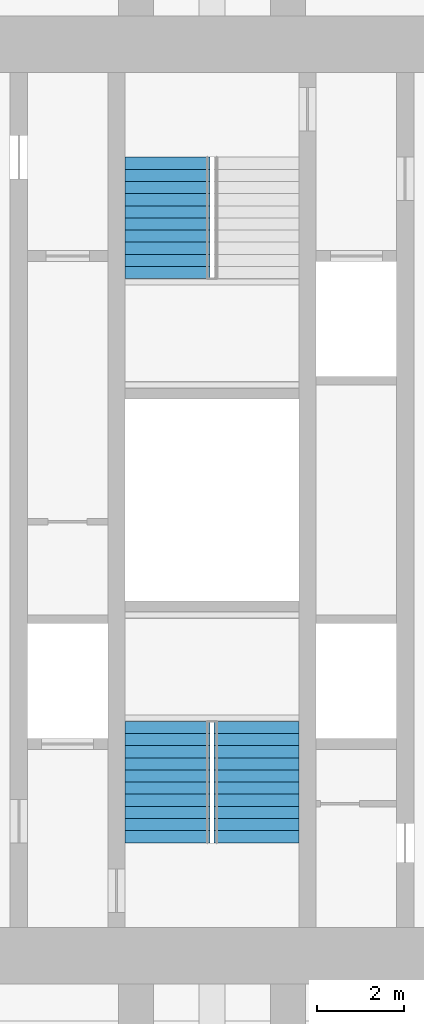
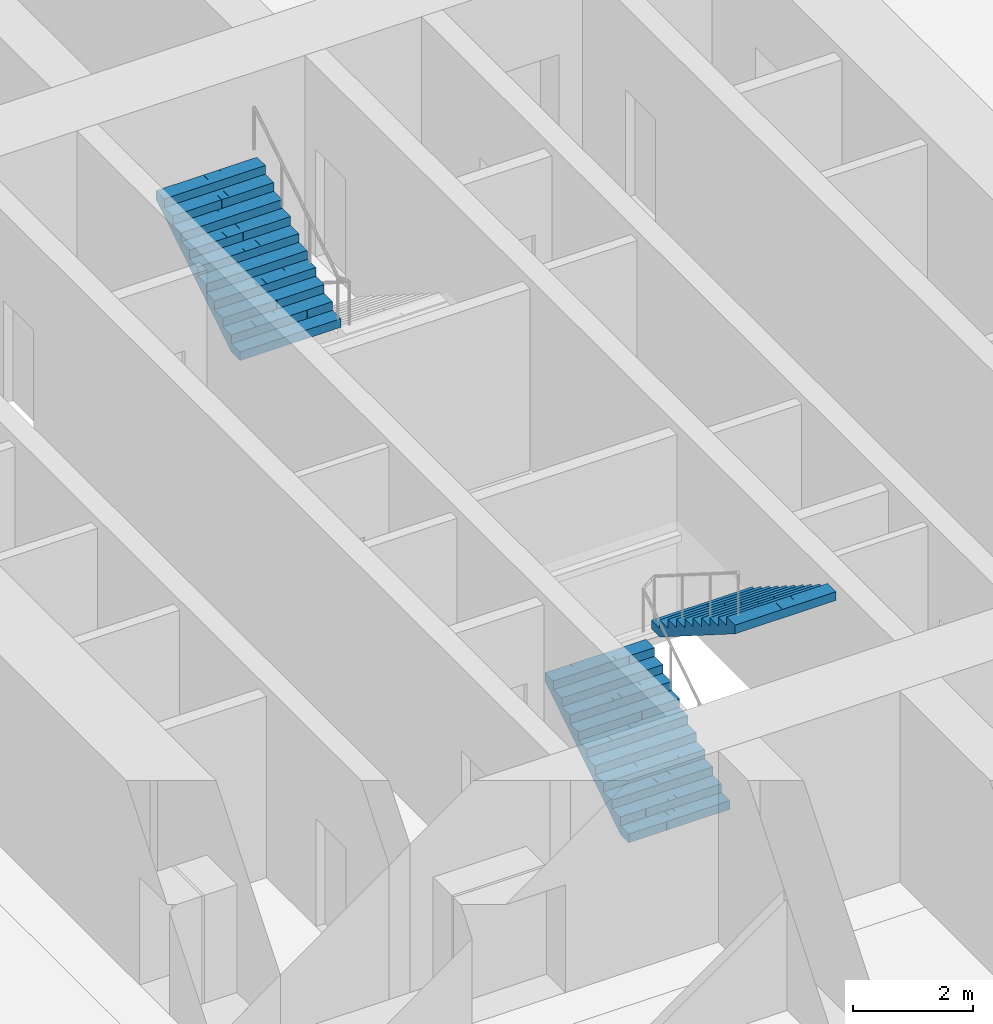
# One storey, part 20 of 22: 3 stair flights, 2 elements without a shape of their own.
"""IFC4 building model written with IfcOpenShell, lengths in metres."""

from ifc_helpers import new_model, si_unit, direction, frame, origin, place, context, subcontext, project, spatial, polyline, outline, extrude, material, type_object, element, aggregate, save


model = new_model("IFC4")

# Units and contexts
model_context = context("Model", 3, precision=1e-05, world=origin(), true_north=direction((0.0, 1.0)))
body_context = subcontext(model_context, "Body", "Model", "MODEL_VIEW")
ifc_project = project(units=[si_unit("LENGTHUNIT", "METRE"), si_unit("AREAUNIT", "SQUARE_METRE"), si_unit("VOLUMEUNIT", "CUBIC_METRE"), si_unit("PLANEANGLEUNIT", "RADIAN"), si_unit("MASSUNIT", "GRAM", prefix="KILO")], contexts=[model_context])

# Site, building, storey
site_placement = place(None, origin())
site = spatial("IfcSite", under=ifc_project, at=site_placement, CompositionType="ELEMENT")
building_placement = place(site_placement, origin())
building = spatial("IfcBuilding", under=site, at=building_placement, Name="Mizan Broadcast Tower", CompositionType="ELEMENT")
storey_placement = place(building_placement, frame((0.0, 0.0, 90.300048828125)))
storey = spatial("IfcBuildingStorey", under=building, at=storey_placement, Name="L19", CompositionType="ELEMENT", Elevation=90.300048828125)

# Stair, stair flights
ifc_material_1 = material(Name="Concrete C40/50", Category="concrete")
stair_type = type_object("IfcStairType", Name="EXIT STAIR", PredefinedType="HALF_TURN_STAIR", material=ifc_material_1)
stair_1_placement = place(storey_placement, origin())
stair_1 = element("IfcStair", 1, at=stair_1_placement, inside=storey, type_object=stair_type, Name="Stair A L19", PredefinedType="HALF_TURN_STAIR")
ifc_material_2 = material(Name="Concrete C40/50", Category="concrete")
stair_flight_type = type_object("IfcStairFlightType", Name="EXIT STAIR FLIGHT", PredefinedType="STRAIGHT", material=ifc_material_2)
stair_flight_1_placement = place(storey_placement, frame((-1.02490234375, -7.89990234375, 0.0), z_axis=(0.0, 0.0, 1.0), x_axis=(0.0, 1.0, 0.0)))
stair_flight_1 = element("IfcStairFlight", 2, at=stair_flight_1_placement, type_object=stair_flight_type, Name="A flight 1", NumberOfRisers=11, NumberOfTreads=10, PredefinedType="STRAIGHT", RiserHeight=0.177272727, TreadLength=0.28, context=body_context, shape_type="SweptSolid", body=[
    extrude(outline(polyline([(0.0, 0.0), (0.0, 0.17724609375), (0.280029296875, 0.17724609375), (0.280029296875, 0.3544921875), (0.56005859375, 0.3544921875), (0.56005859375, 0.53173828125), (0.840087890625, 0.53173828125), (0.840087890625, 0.708984375), (1.1201171875, 0.708984375), (1.1201171875, 0.886474609375), (1.39990234375, 0.886474609375), (1.39990234375, 1.063720703125), (1.679931640625, 1.063720703125), (1.679931640625, 1.240966796875), (1.9599609375, 1.240966796875), (1.9599609375, 1.418212890625), (2.239990234375, 1.418212890625), (2.239990234375, 1.595458984375), (2.52001953125, 1.595458984375), (2.52001953125, 1.772705078125), (2.800048828125, 1.772705078125), (2.800048828125, 1.949951171875), (2.800048828125, 1.59521484375), (0.2802734375, 0.0), (0.0, 0.0)])), frame((0.0, 0.97509765625, 0.0), z_axis=(0.0, -1.0, 0.0), x_axis=(1.0, 0.0, 0.0)), (0.0, 0.0, 1.0), 0.4873046875),
    extrude(outline(polyline([(0.0, 0.0), (0.0, 0.17724609375), (0.280029296875, 0.17724609375), (0.280029296875, 0.3544921875), (0.56005859375, 0.3544921875), (0.56005859375, 0.53173828125), (0.840087890625, 0.53173828125), (0.840087890625, 0.708984375), (1.1201171875, 0.708984375), (1.1201171875, 0.886474609375), (1.39990234375, 0.886474609375), (1.39990234375, 1.063720703125), (1.679931640625, 1.063720703125), (1.679931640625, 1.240966796875), (1.9599609375, 1.240966796875), (1.9599609375, 1.418212890625), (2.239990234375, 1.418212890625), (2.239990234375, 1.595458984375), (2.52001953125, 1.595458984375), (2.52001953125, 1.772705078125), (2.800048828125, 1.772705078125), (2.800048828125, 1.949951171875), (2.800048828125, 1.59521484375), (0.2802734375, 0.0), (0.0, 0.0)])), frame((0.0, 0.4873046875, 0.0), z_axis=(0.0, -1.0, 0.0), x_axis=(1.0, 0.0, 0.0)), (0.0, 0.0, 1.0), 0.2431640625),
    extrude(outline(polyline([(0.0, 0.0), (0.0, 0.17724609375), (0.280029296875, 0.17724609375), (0.280029296875, 0.3544921875), (0.56005859375, 0.3544921875), (0.56005859375, 0.53173828125), (0.840087890625, 0.53173828125), (0.840087890625, 0.708984375), (1.1201171875, 0.708984375), (1.1201171875, 0.886474609375), (1.39990234375, 0.886474609375), (1.39990234375, 1.063720703125), (1.679931640625, 1.063720703125), (1.679931640625, 1.240966796875), (1.9599609375, 1.240966796875), (1.9599609375, 1.418212890625), (2.239990234375, 1.418212890625), (2.239990234375, 1.595458984375), (2.52001953125, 1.595458984375), (2.52001953125, 1.772705078125), (2.800048828125, 1.772705078125), (2.800048828125, 1.949951171875), (2.800048828125, 1.59521484375), (0.2802734375, 0.0), (0.0, 0.0)])), frame((0.0, 0.24365234375, 0.0), z_axis=(0.0, -1.0, 0.0), x_axis=(1.0, 0.0, 0.0)), (0.0, 0.0, 1.0), 0.121337890625),
    extrude(outline(polyline([(0.0, 0.0), (0.0, 0.17724609375), (0.280029296875, 0.17724609375), (0.280029296875, 0.3544921875), (0.56005859375, 0.3544921875), (0.56005859375, 0.53173828125), (0.840087890625, 0.53173828125), (0.840087890625, 0.708984375), (1.1201171875, 0.708984375), (1.1201171875, 0.886474609375), (1.39990234375, 0.886474609375), (1.39990234375, 1.063720703125), (1.679931640625, 1.063720703125), (1.679931640625, 1.240966796875), (1.9599609375, 1.240966796875), (1.9599609375, 1.418212890625), (2.239990234375, 1.418212890625), (2.239990234375, 1.595458984375), (2.52001953125, 1.595458984375), (2.52001953125, 1.772705078125), (2.800048828125, 1.772705078125), (2.800048828125, 1.949951171875), (2.800048828125, 1.59521484375), (0.2802734375, 0.0), (0.0, 0.0)])), frame((0.0, 0.121826171875, 0.0), z_axis=(0.0, -1.0, 0.0), x_axis=(1.0, 0.0, 0.0)), (0.0, 0.0, 1.0), 0.060546875),
    extrude(outline(polyline([(0.0, 0.0), (0.0, 0.17724609375), (0.280029296875, 0.17724609375), (0.280029296875, 0.3544921875), (0.56005859375, 0.3544921875), (0.56005859375, 0.53173828125), (0.840087890625, 0.53173828125), (0.840087890625, 0.708984375), (1.1201171875, 0.708984375), (1.1201171875, 0.886474609375), (1.39990234375, 0.886474609375), (1.39990234375, 1.063720703125), (1.679931640625, 1.063720703125), (1.679931640625, 1.240966796875), (1.9599609375, 1.240966796875), (1.9599609375, 1.418212890625), (2.239990234375, 1.418212890625), (2.239990234375, 1.595458984375), (2.52001953125, 1.595458984375), (2.52001953125, 1.772705078125), (2.800048828125, 1.772705078125), (2.800048828125, 1.949951171875), (2.800048828125, 1.59521484375), (0.2802734375, 0.0), (0.0, 0.0)])), frame((0.0, 0.060791015625, 0.0), z_axis=(0.0, -1.0, 0.0), x_axis=(1.0, 0.0, 0.0)), (0.0, 0.0, 1.0), 0.030029296875),
    extrude(outline(polyline([(0.0, 0.0), (0.0, 0.17724609375), (0.280029296875, 0.17724609375), (0.280029296875, 0.3544921875), (0.56005859375, 0.3544921875), (0.56005859375, 0.53173828125), (0.840087890625, 0.53173828125), (0.840087890625, 0.708984375), (1.1201171875, 0.708984375), (1.1201171875, 0.886474609375), (1.39990234375, 0.886474609375), (1.39990234375, 1.063720703125), (1.679931640625, 1.063720703125), (1.679931640625, 1.240966796875), (1.9599609375, 1.240966796875), (1.9599609375, 1.418212890625), (2.239990234375, 1.418212890625), (2.239990234375, 1.595458984375), (2.52001953125, 1.595458984375), (2.52001953125, 1.772705078125), (2.800048828125, 1.772705078125), (2.800048828125, 1.949951171875), (2.800048828125, 1.59521484375), (0.2802734375, 0.0), (0.0, 0.0)])), frame((0.0, 0.0302734375, 0.0), z_axis=(0.0, -1.0, 0.0), x_axis=(1.0, 0.0, 0.0)), (0.0, 0.0, 1.0), 0.060302734375),
    extrude(outline(polyline([(0.0, 0.0), (0.0, 0.17724609375), (0.280029296875, 0.17724609375), (0.280029296875, 0.3544921875), (0.56005859375, 0.3544921875), (0.56005859375, 0.53173828125), (0.840087890625, 0.53173828125), (0.840087890625, 0.708984375), (1.1201171875, 0.708984375), (1.1201171875, 0.886474609375), (1.39990234375, 0.886474609375), (1.39990234375, 1.063720703125), (1.679931640625, 1.063720703125), (1.679931640625, 1.240966796875), (1.9599609375, 1.240966796875), (1.9599609375, 1.418212890625), (2.239990234375, 1.418212890625), (2.239990234375, 1.595458984375), (2.52001953125, 1.595458984375), (2.52001953125, 1.772705078125), (2.800048828125, 1.772705078125), (2.800048828125, 1.949951171875), (2.800048828125, 1.59521484375), (0.2802734375, 0.0), (0.0, 0.0)])), frame((0.0, -0.030517578125, 0.0), z_axis=(0.0, -1.0, 0.0), x_axis=(1.0, 0.0, 0.0)), (0.0, 0.0, 1.0), 0.030029296875),
    extrude(outline(polyline([(0.0, 0.0), (0.0, 0.17724609375), (0.280029296875, 0.17724609375), (0.280029296875, 0.3544921875), (0.56005859375, 0.3544921875), (0.56005859375, 0.53173828125), (0.840087890625, 0.53173828125), (0.840087890625, 0.708984375), (1.1201171875, 0.708984375), (1.1201171875, 0.886474609375), (1.39990234375, 0.886474609375), (1.39990234375, 1.063720703125), (1.679931640625, 1.063720703125), (1.679931640625, 1.240966796875), (1.9599609375, 1.240966796875), (1.9599609375, 1.418212890625), (2.239990234375, 1.418212890625), (2.239990234375, 1.595458984375), (2.52001953125, 1.595458984375), (2.52001953125, 1.772705078125), (2.800048828125, 1.772705078125), (2.800048828125, 1.949951171875), (2.800048828125, 1.59521484375), (0.2802734375, 0.0), (0.0, 0.0)])), frame((0.0, -0.06103515625, 0.0), z_axis=(0.0, -1.0, 0.0), x_axis=(1.0, 0.0, 0.0)), (0.0, 0.0, 1.0), 0.060546875),
    extrude(outline(polyline([(0.0, 0.0), (0.0, 0.17724609375), (0.280029296875, 0.17724609375), (0.280029296875, 0.3544921875), (0.56005859375, 0.3544921875), (0.56005859375, 0.53173828125), (0.840087890625, 0.53173828125), (0.840087890625, 0.708984375), (1.1201171875, 0.708984375), (1.1201171875, 0.886474609375), (1.39990234375, 0.886474609375), (1.39990234375, 1.063720703125), (1.679931640625, 1.063720703125), (1.679931640625, 1.240966796875), (1.9599609375, 1.240966796875), (1.9599609375, 1.418212890625), (2.239990234375, 1.418212890625), (2.239990234375, 1.595458984375), (2.52001953125, 1.595458984375), (2.52001953125, 1.772705078125), (2.800048828125, 1.772705078125), (2.800048828125, 1.949951171875), (2.800048828125, 1.59521484375), (0.2802734375, 0.0), (0.0, 0.0)])), frame((0.0, -0.1220703125, 0.0), z_axis=(0.0, -1.0, 0.0), x_axis=(1.0, 0.0, 0.0)), (0.0, 0.0, 1.0), 0.121337890625),
    extrude(outline(polyline([(0.0, 0.0), (0.0, 0.17724609375), (0.280029296875, 0.17724609375), (0.280029296875, 0.3544921875), (0.56005859375, 0.3544921875), (0.56005859375, 0.53173828125), (0.840087890625, 0.53173828125), (0.840087890625, 0.708984375), (1.1201171875, 0.708984375), (1.1201171875, 0.886474609375), (1.39990234375, 0.886474609375), (1.39990234375, 1.063720703125), (1.679931640625, 1.063720703125), (1.679931640625, 1.240966796875), (1.9599609375, 1.240966796875), (1.9599609375, 1.418212890625), (2.239990234375, 1.418212890625), (2.239990234375, 1.595458984375), (2.52001953125, 1.595458984375), (2.52001953125, 1.772705078125), (2.800048828125, 1.772705078125), (2.800048828125, 1.949951171875), (2.800048828125, 1.59521484375), (0.2802734375, 0.0), (0.0, 0.0)])), frame((0.0, -0.243896484375, 0.0), z_axis=(0.0, -1.0, 0.0), x_axis=(1.0, 0.0, 0.0)), (0.0, 0.0, 1.0), 0.2431640625),
    extrude(outline(polyline([(0.0, 0.0), (0.0, 0.17724609375), (0.280029296875, 0.17724609375), (0.280029296875, 0.3544921875), (0.56005859375, 0.3544921875), (0.56005859375, 0.53173828125), (0.840087890625, 0.53173828125), (0.840087890625, 0.708984375), (1.1201171875, 0.708984375), (1.1201171875, 0.886474609375), (1.39990234375, 0.886474609375), (1.39990234375, 1.063720703125), (1.679931640625, 1.063720703125), (1.679931640625, 1.240966796875), (1.9599609375, 1.240966796875), (1.9599609375, 1.418212890625), (2.239990234375, 1.418212890625), (2.239990234375, 1.595458984375), (2.52001953125, 1.595458984375), (2.52001953125, 1.772705078125), (2.800048828125, 1.772705078125), (2.800048828125, 1.949951171875), (2.800048828125, 1.59521484375), (0.2802734375, 0.0), (0.0, 0.0)])), frame((0.0, -0.487548828125, 0.0), z_axis=(0.0, -1.0, 0.0), x_axis=(1.0, 0.0, 0.0)), (0.0, 0.0, 1.0), 0.4873046875),
])
stair_flight_2_placement = place(storey_placement, frame((1.02490234375, -5.10009765625, 1.949951171875), z_axis=(0.0, 0.0, 1.0), x_axis=(0.0, -1.0, 0.0)))
stair_flight_2 = element("IfcStairFlight", 3, at=stair_flight_2_placement, type_object=stair_flight_type, Name="A flight 2", NumberOfRisers=11, NumberOfTreads=10, PredefinedType="STRAIGHT", RiserHeight=0.177272727, TreadLength=0.28, context=body_context, shape_type="SweptSolid", body=[
    extrude(outline(polyline([(0.0, 0.0), (0.0, 0.17724609375), (0.280029296875, 0.17724609375), (0.280029296875, 0.3544921875), (0.56005859375, 0.3544921875), (0.56005859375, 0.53173828125), (0.840087890625, 0.53173828125), (0.840087890625, 0.708984375), (1.1201171875, 0.708984375), (1.1201171875, 0.886474609375), (1.39990234375, 0.886474609375), (1.39990234375, 1.063720703125), (1.679931640625, 1.063720703125), (1.679931640625, 1.240966796875), (1.9599609375, 1.240966796875), (1.9599609375, 1.418212890625), (2.239990234375, 1.418212890625), (2.239990234375, 1.595458984375), (2.52001953125, 1.595458984375), (2.52001953125, 1.772705078125), (2.800048828125, 1.772705078125), (2.800048828125, 1.949951171875), (2.800048828125, 1.59521484375), (0.2802734375, 0.0), (0.0, 0.0)])), frame((0.0, 0.97509765625, 0.0), z_axis=(0.0, -1.0, 0.0), x_axis=(1.0, 0.0, 0.0)), (0.0, 0.0, 1.0), 0.4873046875),
    extrude(outline(polyline([(0.0, 0.0), (0.0, 0.17724609375), (0.280029296875, 0.17724609375), (0.280029296875, 0.3544921875), (0.56005859375, 0.3544921875), (0.56005859375, 0.53173828125), (0.840087890625, 0.53173828125), (0.840087890625, 0.708984375), (1.1201171875, 0.708984375), (1.1201171875, 0.886474609375), (1.39990234375, 0.886474609375), (1.39990234375, 1.063720703125), (1.679931640625, 1.063720703125), (1.679931640625, 1.240966796875), (1.9599609375, 1.240966796875), (1.9599609375, 1.418212890625), (2.239990234375, 1.418212890625), (2.239990234375, 1.595458984375), (2.52001953125, 1.595458984375), (2.52001953125, 1.772705078125), (2.800048828125, 1.772705078125), (2.800048828125, 1.949951171875), (2.800048828125, 1.59521484375), (0.2802734375, 0.0), (0.0, 0.0)])), frame((0.0, 0.4873046875, 0.0), z_axis=(0.0, -1.0, 0.0), x_axis=(1.0, 0.0, 0.0)), (0.0, 0.0, 1.0), 0.2431640625),
    extrude(outline(polyline([(0.0, 0.0), (0.0, 0.17724609375), (0.280029296875, 0.17724609375), (0.280029296875, 0.3544921875), (0.56005859375, 0.3544921875), (0.56005859375, 0.53173828125), (0.840087890625, 0.53173828125), (0.840087890625, 0.708984375), (1.1201171875, 0.708984375), (1.1201171875, 0.886474609375), (1.39990234375, 0.886474609375), (1.39990234375, 1.063720703125), (1.679931640625, 1.063720703125), (1.679931640625, 1.240966796875), (1.9599609375, 1.240966796875), (1.9599609375, 1.418212890625), (2.239990234375, 1.418212890625), (2.239990234375, 1.595458984375), (2.52001953125, 1.595458984375), (2.52001953125, 1.772705078125), (2.800048828125, 1.772705078125), (2.800048828125, 1.949951171875), (2.800048828125, 1.59521484375), (0.2802734375, 0.0), (0.0, 0.0)])), frame((0.0, 0.24365234375, 0.0), z_axis=(0.0, -1.0, 0.0), x_axis=(1.0, 0.0, 0.0)), (0.0, 0.0, 1.0), 0.121337890625),
    extrude(outline(polyline([(0.0, 0.0), (0.0, 0.17724609375), (0.280029296875, 0.17724609375), (0.280029296875, 0.3544921875), (0.56005859375, 0.3544921875), (0.56005859375, 0.53173828125), (0.840087890625, 0.53173828125), (0.840087890625, 0.708984375), (1.1201171875, 0.708984375), (1.1201171875, 0.886474609375), (1.39990234375, 0.886474609375), (1.39990234375, 1.063720703125), (1.679931640625, 1.063720703125), (1.679931640625, 1.240966796875), (1.9599609375, 1.240966796875), (1.9599609375, 1.418212890625), (2.239990234375, 1.418212890625), (2.239990234375, 1.595458984375), (2.52001953125, 1.595458984375), (2.52001953125, 1.772705078125), (2.800048828125, 1.772705078125), (2.800048828125, 1.949951171875), (2.800048828125, 1.59521484375), (0.2802734375, 0.0), (0.0, 0.0)])), frame((0.0, 0.121826171875, 0.0), z_axis=(0.0, -1.0, 0.0), x_axis=(1.0, 0.0, 0.0)), (0.0, 0.0, 1.0), 0.060546875),
    extrude(outline(polyline([(0.0, 0.0), (0.0, 0.17724609375), (0.280029296875, 0.17724609375), (0.280029296875, 0.3544921875), (0.56005859375, 0.3544921875), (0.56005859375, 0.53173828125), (0.840087890625, 0.53173828125), (0.840087890625, 0.708984375), (1.1201171875, 0.708984375), (1.1201171875, 0.886474609375), (1.39990234375, 0.886474609375), (1.39990234375, 1.063720703125), (1.679931640625, 1.063720703125), (1.679931640625, 1.240966796875), (1.9599609375, 1.240966796875), (1.9599609375, 1.418212890625), (2.239990234375, 1.418212890625), (2.239990234375, 1.595458984375), (2.52001953125, 1.595458984375), (2.52001953125, 1.772705078125), (2.800048828125, 1.772705078125), (2.800048828125, 1.949951171875), (2.800048828125, 1.59521484375), (0.2802734375, 0.0), (0.0, 0.0)])), frame((0.0, 0.060791015625, 0.0), z_axis=(0.0, -1.0, 0.0), x_axis=(1.0, 0.0, 0.0)), (0.0, 0.0, 1.0), 0.030029296875),
    extrude(outline(polyline([(0.0, 0.0), (0.0, 0.17724609375), (0.280029296875, 0.17724609375), (0.280029296875, 0.3544921875), (0.56005859375, 0.3544921875), (0.56005859375, 0.53173828125), (0.840087890625, 0.53173828125), (0.840087890625, 0.708984375), (1.1201171875, 0.708984375), (1.1201171875, 0.886474609375), (1.39990234375, 0.886474609375), (1.39990234375, 1.063720703125), (1.679931640625, 1.063720703125), (1.679931640625, 1.240966796875), (1.9599609375, 1.240966796875), (1.9599609375, 1.418212890625), (2.239990234375, 1.418212890625), (2.239990234375, 1.595458984375), (2.52001953125, 1.595458984375), (2.52001953125, 1.772705078125), (2.800048828125, 1.772705078125), (2.800048828125, 1.949951171875), (2.800048828125, 1.59521484375), (0.2802734375, 0.0), (0.0, 0.0)])), frame((0.0, 0.0302734375, 0.0), z_axis=(0.0, -1.0, 0.0), x_axis=(1.0, 0.0, 0.0)), (0.0, 0.0, 1.0), 0.060302734375),
    extrude(outline(polyline([(0.0, 0.0), (0.0, 0.17724609375), (0.280029296875, 0.17724609375), (0.280029296875, 0.3544921875), (0.56005859375, 0.3544921875), (0.56005859375, 0.53173828125), (0.840087890625, 0.53173828125), (0.840087890625, 0.708984375), (1.1201171875, 0.708984375), (1.1201171875, 0.886474609375), (1.39990234375, 0.886474609375), (1.39990234375, 1.063720703125), (1.679931640625, 1.063720703125), (1.679931640625, 1.240966796875), (1.9599609375, 1.240966796875), (1.9599609375, 1.418212890625), (2.239990234375, 1.418212890625), (2.239990234375, 1.595458984375), (2.52001953125, 1.595458984375), (2.52001953125, 1.772705078125), (2.800048828125, 1.772705078125), (2.800048828125, 1.949951171875), (2.800048828125, 1.59521484375), (0.2802734375, 0.0), (0.0, 0.0)])), frame((0.0, -0.030517578125, 0.0), z_axis=(0.0, -1.0, 0.0), x_axis=(1.0, 0.0, 0.0)), (0.0, 0.0, 1.0), 0.030029296875),
    extrude(outline(polyline([(0.0, 0.0), (0.0, 0.17724609375), (0.280029296875, 0.17724609375), (0.280029296875, 0.3544921875), (0.56005859375, 0.3544921875), (0.56005859375, 0.53173828125), (0.840087890625, 0.53173828125), (0.840087890625, 0.708984375), (1.1201171875, 0.708984375), (1.1201171875, 0.886474609375), (1.39990234375, 0.886474609375), (1.39990234375, 1.063720703125), (1.679931640625, 1.063720703125), (1.679931640625, 1.240966796875), (1.9599609375, 1.240966796875), (1.9599609375, 1.418212890625), (2.239990234375, 1.418212890625), (2.239990234375, 1.595458984375), (2.52001953125, 1.595458984375), (2.52001953125, 1.772705078125), (2.800048828125, 1.772705078125), (2.800048828125, 1.949951171875), (2.800048828125, 1.59521484375), (0.2802734375, 0.0), (0.0, 0.0)])), frame((0.0, -0.06103515625, 0.0), z_axis=(0.0, -1.0, 0.0), x_axis=(1.0, 0.0, 0.0)), (0.0, 0.0, 1.0), 0.060546875),
    extrude(outline(polyline([(0.0, 0.0), (0.0, 0.17724609375), (0.280029296875, 0.17724609375), (0.280029296875, 0.3544921875), (0.56005859375, 0.3544921875), (0.56005859375, 0.53173828125), (0.840087890625, 0.53173828125), (0.840087890625, 0.708984375), (1.1201171875, 0.708984375), (1.1201171875, 0.886474609375), (1.39990234375, 0.886474609375), (1.39990234375, 1.063720703125), (1.679931640625, 1.063720703125), (1.679931640625, 1.240966796875), (1.9599609375, 1.240966796875), (1.9599609375, 1.418212890625), (2.239990234375, 1.418212890625), (2.239990234375, 1.595458984375), (2.52001953125, 1.595458984375), (2.52001953125, 1.772705078125), (2.800048828125, 1.772705078125), (2.800048828125, 1.949951171875), (2.800048828125, 1.59521484375), (0.2802734375, 0.0), (0.0, 0.0)])), frame((0.0, -0.1220703125, 0.0), z_axis=(0.0, -1.0, 0.0), x_axis=(1.0, 0.0, 0.0)), (0.0, 0.0, 1.0), 0.121337890625),
    extrude(outline(polyline([(0.0, 0.0), (0.0, 0.17724609375), (0.280029296875, 0.17724609375), (0.280029296875, 0.3544921875), (0.56005859375, 0.3544921875), (0.56005859375, 0.53173828125), (0.840087890625, 0.53173828125), (0.840087890625, 0.708984375), (1.1201171875, 0.708984375), (1.1201171875, 0.886474609375), (1.39990234375, 0.886474609375), (1.39990234375, 1.063720703125), (1.679931640625, 1.063720703125), (1.679931640625, 1.240966796875), (1.9599609375, 1.240966796875), (1.9599609375, 1.418212890625), (2.239990234375, 1.418212890625), (2.239990234375, 1.595458984375), (2.52001953125, 1.595458984375), (2.52001953125, 1.772705078125), (2.800048828125, 1.772705078125), (2.800048828125, 1.949951171875), (2.800048828125, 1.59521484375), (0.2802734375, 0.0), (0.0, 0.0)])), frame((0.0, -0.243896484375, 0.0), z_axis=(0.0, -1.0, 0.0), x_axis=(1.0, 0.0, 0.0)), (0.0, 0.0, 1.0), 0.2431640625),
    extrude(outline(polyline([(0.0, 0.0), (0.0, 0.17724609375), (0.280029296875, 0.17724609375), (0.280029296875, 0.3544921875), (0.56005859375, 0.3544921875), (0.56005859375, 0.53173828125), (0.840087890625, 0.53173828125), (0.840087890625, 0.708984375), (1.1201171875, 0.708984375), (1.1201171875, 0.886474609375), (1.39990234375, 0.886474609375), (1.39990234375, 1.063720703125), (1.679931640625, 1.063720703125), (1.679931640625, 1.240966796875), (1.9599609375, 1.240966796875), (1.9599609375, 1.418212890625), (2.239990234375, 1.418212890625), (2.239990234375, 1.595458984375), (2.52001953125, 1.595458984375), (2.52001953125, 1.772705078125), (2.800048828125, 1.772705078125), (2.800048828125, 1.949951171875), (2.800048828125, 1.59521484375), (0.2802734375, 0.0), (0.0, 0.0)])), frame((0.0, -0.487548828125, 0.0), z_axis=(0.0, -1.0, 0.0), x_axis=(1.0, 0.0, 0.0)), (0.0, 0.0, 1.0), 0.4873046875),
])
aggregate(stair_1, [stair_flight_1, stair_flight_2])

# Stair, stair flight
stair_2_placement = place(storey_placement, origin())
stair_2 = element("IfcStair", 4, at=stair_2_placement, inside=storey, type_object=stair_type, Name="Stair B L19", PredefinedType="HALF_TURN_STAIR")
stair_flight_3_placement = place(storey_placement, frame((-1.02490234375, 5.10009765625, 1.949951171875), z_axis=(0.0, 0.0, 1.0), x_axis=(0.0, 1.0, 0.0)))
stair_flight_3 = element("IfcStairFlight", 5, at=stair_flight_3_placement, type_object=stair_flight_type, Name="B flight 2", NumberOfRisers=11, NumberOfTreads=10, PredefinedType="STRAIGHT", RiserHeight=0.177272727, TreadLength=0.28, context=body_context, shape_type="SweptSolid", body=[
    extrude(outline(polyline([(0.0, 0.0), (0.0, 0.17724609375), (0.280029296875, 0.17724609375), (0.280029296875, 0.3544921875), (0.56005859375, 0.3544921875), (0.56005859375, 0.53173828125), (0.840087890625, 0.53173828125), (0.840087890625, 0.708984375), (1.1201171875, 0.708984375), (1.1201171875, 0.886474609375), (1.39990234375, 0.886474609375), (1.39990234375, 1.063720703125), (1.679931640625, 1.063720703125), (1.679931640625, 1.240966796875), (1.9599609375, 1.240966796875), (1.9599609375, 1.418212890625), (2.239990234375, 1.418212890625), (2.239990234375, 1.595458984375), (2.52001953125, 1.595458984375), (2.52001953125, 1.772705078125), (2.800048828125, 1.772705078125), (2.800048828125, 1.949951171875), (2.800048828125, 1.59521484375), (0.2802734375, 0.0), (0.0, 0.0)])), frame((0.0, 0.97509765625, 0.0), z_axis=(0.0, -1.0, 0.0), x_axis=(1.0, 0.0, 0.0)), (0.0, 0.0, 1.0), 0.4873046875),
    extrude(outline(polyline([(0.0, 0.0), (0.0, 0.17724609375), (0.280029296875, 0.17724609375), (0.280029296875, 0.3544921875), (0.56005859375, 0.3544921875), (0.56005859375, 0.53173828125), (0.840087890625, 0.53173828125), (0.840087890625, 0.708984375), (1.1201171875, 0.708984375), (1.1201171875, 0.886474609375), (1.39990234375, 0.886474609375), (1.39990234375, 1.063720703125), (1.679931640625, 1.063720703125), (1.679931640625, 1.240966796875), (1.9599609375, 1.240966796875), (1.9599609375, 1.418212890625), (2.239990234375, 1.418212890625), (2.239990234375, 1.595458984375), (2.52001953125, 1.595458984375), (2.52001953125, 1.772705078125), (2.800048828125, 1.772705078125), (2.800048828125, 1.949951171875), (2.800048828125, 1.59521484375), (0.2802734375, 0.0), (0.0, 0.0)])), frame((0.0, 0.4873046875, 0.0), z_axis=(0.0, -1.0, 0.0), x_axis=(1.0, 0.0, 0.0)), (0.0, 0.0, 1.0), 0.2431640625),
    extrude(outline(polyline([(0.0, 0.0), (0.0, 0.17724609375), (0.280029296875, 0.17724609375), (0.280029296875, 0.3544921875), (0.56005859375, 0.3544921875), (0.56005859375, 0.53173828125), (0.840087890625, 0.53173828125), (0.840087890625, 0.708984375), (1.1201171875, 0.708984375), (1.1201171875, 0.886474609375), (1.39990234375, 0.886474609375), (1.39990234375, 1.063720703125), (1.679931640625, 1.063720703125), (1.679931640625, 1.240966796875), (1.9599609375, 1.240966796875), (1.9599609375, 1.418212890625), (2.239990234375, 1.418212890625), (2.239990234375, 1.595458984375), (2.52001953125, 1.595458984375), (2.52001953125, 1.772705078125), (2.800048828125, 1.772705078125), (2.800048828125, 1.949951171875), (2.800048828125, 1.59521484375), (0.2802734375, 0.0), (0.0, 0.0)])), frame((0.0, 0.24365234375, 0.0), z_axis=(0.0, -1.0, 0.0), x_axis=(1.0, 0.0, 0.0)), (0.0, 0.0, 1.0), 0.121337890625),
    extrude(outline(polyline([(0.0, 0.0), (0.0, 0.17724609375), (0.280029296875, 0.17724609375), (0.280029296875, 0.3544921875), (0.56005859375, 0.3544921875), (0.56005859375, 0.53173828125), (0.840087890625, 0.53173828125), (0.840087890625, 0.708984375), (1.1201171875, 0.708984375), (1.1201171875, 0.886474609375), (1.39990234375, 0.886474609375), (1.39990234375, 1.063720703125), (1.679931640625, 1.063720703125), (1.679931640625, 1.240966796875), (1.9599609375, 1.240966796875), (1.9599609375, 1.418212890625), (2.239990234375, 1.418212890625), (2.239990234375, 1.595458984375), (2.52001953125, 1.595458984375), (2.52001953125, 1.772705078125), (2.800048828125, 1.772705078125), (2.800048828125, 1.949951171875), (2.800048828125, 1.59521484375), (0.2802734375, 0.0), (0.0, 0.0)])), frame((0.0, 0.121826171875, 0.0), z_axis=(0.0, -1.0, 0.0), x_axis=(1.0, 0.0, 0.0)), (0.0, 0.0, 1.0), 0.060546875),
    extrude(outline(polyline([(0.0, 0.0), (0.0, 0.17724609375), (0.280029296875, 0.17724609375), (0.280029296875, 0.3544921875), (0.56005859375, 0.3544921875), (0.56005859375, 0.53173828125), (0.840087890625, 0.53173828125), (0.840087890625, 0.708984375), (1.1201171875, 0.708984375), (1.1201171875, 0.886474609375), (1.39990234375, 0.886474609375), (1.39990234375, 1.063720703125), (1.679931640625, 1.063720703125), (1.679931640625, 1.240966796875), (1.9599609375, 1.240966796875), (1.9599609375, 1.418212890625), (2.239990234375, 1.418212890625), (2.239990234375, 1.595458984375), (2.52001953125, 1.595458984375), (2.52001953125, 1.772705078125), (2.800048828125, 1.772705078125), (2.800048828125, 1.949951171875), (2.800048828125, 1.59521484375), (0.2802734375, 0.0), (0.0, 0.0)])), frame((0.0, 0.060791015625, 0.0), z_axis=(0.0, -1.0, 0.0), x_axis=(1.0, 0.0, 0.0)), (0.0, 0.0, 1.0), 0.030029296875),
    extrude(outline(polyline([(0.0, 0.0), (0.0, 0.17724609375), (0.280029296875, 0.17724609375), (0.280029296875, 0.3544921875), (0.56005859375, 0.3544921875), (0.56005859375, 0.53173828125), (0.840087890625, 0.53173828125), (0.840087890625, 0.708984375), (1.1201171875, 0.708984375), (1.1201171875, 0.886474609375), (1.39990234375, 0.886474609375), (1.39990234375, 1.063720703125), (1.679931640625, 1.063720703125), (1.679931640625, 1.240966796875), (1.9599609375, 1.240966796875), (1.9599609375, 1.418212890625), (2.239990234375, 1.418212890625), (2.239990234375, 1.595458984375), (2.52001953125, 1.595458984375), (2.52001953125, 1.772705078125), (2.800048828125, 1.772705078125), (2.800048828125, 1.949951171875), (2.800048828125, 1.59521484375), (0.2802734375, 0.0), (0.0, 0.0)])), frame((0.0, 0.0302734375, 0.0), z_axis=(0.0, -1.0, 0.0), x_axis=(1.0, 0.0, 0.0)), (0.0, 0.0, 1.0), 0.060302734375),
    extrude(outline(polyline([(0.0, 0.0), (0.0, 0.17724609375), (0.280029296875, 0.17724609375), (0.280029296875, 0.3544921875), (0.56005859375, 0.3544921875), (0.56005859375, 0.53173828125), (0.840087890625, 0.53173828125), (0.840087890625, 0.708984375), (1.1201171875, 0.708984375), (1.1201171875, 0.886474609375), (1.39990234375, 0.886474609375), (1.39990234375, 1.063720703125), (1.679931640625, 1.063720703125), (1.679931640625, 1.240966796875), (1.9599609375, 1.240966796875), (1.9599609375, 1.418212890625), (2.239990234375, 1.418212890625), (2.239990234375, 1.595458984375), (2.52001953125, 1.595458984375), (2.52001953125, 1.772705078125), (2.800048828125, 1.772705078125), (2.800048828125, 1.949951171875), (2.800048828125, 1.59521484375), (0.2802734375, 0.0), (0.0, 0.0)])), frame((0.0, -0.030517578125, 0.0), z_axis=(0.0, -1.0, 0.0), x_axis=(1.0, 0.0, 0.0)), (0.0, 0.0, 1.0), 0.030029296875),
    extrude(outline(polyline([(0.0, 0.0), (0.0, 0.17724609375), (0.280029296875, 0.17724609375), (0.280029296875, 0.3544921875), (0.56005859375, 0.3544921875), (0.56005859375, 0.53173828125), (0.840087890625, 0.53173828125), (0.840087890625, 0.708984375), (1.1201171875, 0.708984375), (1.1201171875, 0.886474609375), (1.39990234375, 0.886474609375), (1.39990234375, 1.063720703125), (1.679931640625, 1.063720703125), (1.679931640625, 1.240966796875), (1.9599609375, 1.240966796875), (1.9599609375, 1.418212890625), (2.239990234375, 1.418212890625), (2.239990234375, 1.595458984375), (2.52001953125, 1.595458984375), (2.52001953125, 1.772705078125), (2.800048828125, 1.772705078125), (2.800048828125, 1.949951171875), (2.800048828125, 1.59521484375), (0.2802734375, 0.0), (0.0, 0.0)])), frame((0.0, -0.06103515625, 0.0), z_axis=(0.0, -1.0, 0.0), x_axis=(1.0, 0.0, 0.0)), (0.0, 0.0, 1.0), 0.060546875),
    extrude(outline(polyline([(0.0, 0.0), (0.0, 0.17724609375), (0.280029296875, 0.17724609375), (0.280029296875, 0.3544921875), (0.56005859375, 0.3544921875), (0.56005859375, 0.53173828125), (0.840087890625, 0.53173828125), (0.840087890625, 0.708984375), (1.1201171875, 0.708984375), (1.1201171875, 0.886474609375), (1.39990234375, 0.886474609375), (1.39990234375, 1.063720703125), (1.679931640625, 1.063720703125), (1.679931640625, 1.240966796875), (1.9599609375, 1.240966796875), (1.9599609375, 1.418212890625), (2.239990234375, 1.418212890625), (2.239990234375, 1.595458984375), (2.52001953125, 1.595458984375), (2.52001953125, 1.772705078125), (2.800048828125, 1.772705078125), (2.800048828125, 1.949951171875), (2.800048828125, 1.59521484375), (0.2802734375, 0.0), (0.0, 0.0)])), frame((0.0, -0.1220703125, 0.0), z_axis=(0.0, -1.0, 0.0), x_axis=(1.0, 0.0, 0.0)), (0.0, 0.0, 1.0), 0.121337890625),
    extrude(outline(polyline([(0.0, 0.0), (0.0, 0.17724609375), (0.280029296875, 0.17724609375), (0.280029296875, 0.3544921875), (0.56005859375, 0.3544921875), (0.56005859375, 0.53173828125), (0.840087890625, 0.53173828125), (0.840087890625, 0.708984375), (1.1201171875, 0.708984375), (1.1201171875, 0.886474609375), (1.39990234375, 0.886474609375), (1.39990234375, 1.063720703125), (1.679931640625, 1.063720703125), (1.679931640625, 1.240966796875), (1.9599609375, 1.240966796875), (1.9599609375, 1.418212890625), (2.239990234375, 1.418212890625), (2.239990234375, 1.595458984375), (2.52001953125, 1.595458984375), (2.52001953125, 1.772705078125), (2.800048828125, 1.772705078125), (2.800048828125, 1.949951171875), (2.800048828125, 1.59521484375), (0.2802734375, 0.0), (0.0, 0.0)])), frame((0.0, -0.243896484375, 0.0), z_axis=(0.0, -1.0, 0.0), x_axis=(1.0, 0.0, 0.0)), (0.0, 0.0, 1.0), 0.2431640625),
    extrude(outline(polyline([(0.0, 0.0), (0.0, 0.17724609375), (0.280029296875, 0.17724609375), (0.280029296875, 0.3544921875), (0.56005859375, 0.3544921875), (0.56005859375, 0.53173828125), (0.840087890625, 0.53173828125), (0.840087890625, 0.708984375), (1.1201171875, 0.708984375), (1.1201171875, 0.886474609375), (1.39990234375, 0.886474609375), (1.39990234375, 1.063720703125), (1.679931640625, 1.063720703125), (1.679931640625, 1.240966796875), (1.9599609375, 1.240966796875), (1.9599609375, 1.418212890625), (2.239990234375, 1.418212890625), (2.239990234375, 1.595458984375), (2.52001953125, 1.595458984375), (2.52001953125, 1.772705078125), (2.800048828125, 1.772705078125), (2.800048828125, 1.949951171875), (2.800048828125, 1.59521484375), (0.2802734375, 0.0), (0.0, 0.0)])), frame((0.0, -0.487548828125, 0.0), z_axis=(0.0, -1.0, 0.0), x_axis=(1.0, 0.0, 0.0)), (0.0, 0.0, 1.0), 0.4873046875),
])
aggregate(stair_2, [stair_flight_3])

save(model, "model.ifc")
